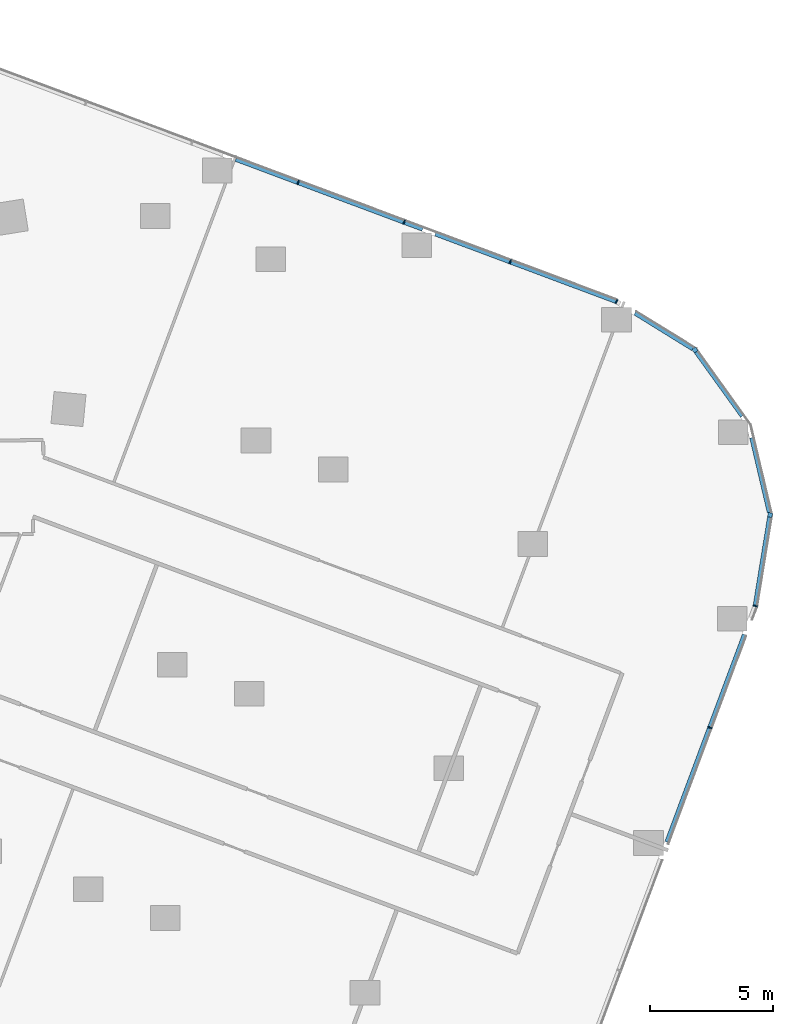
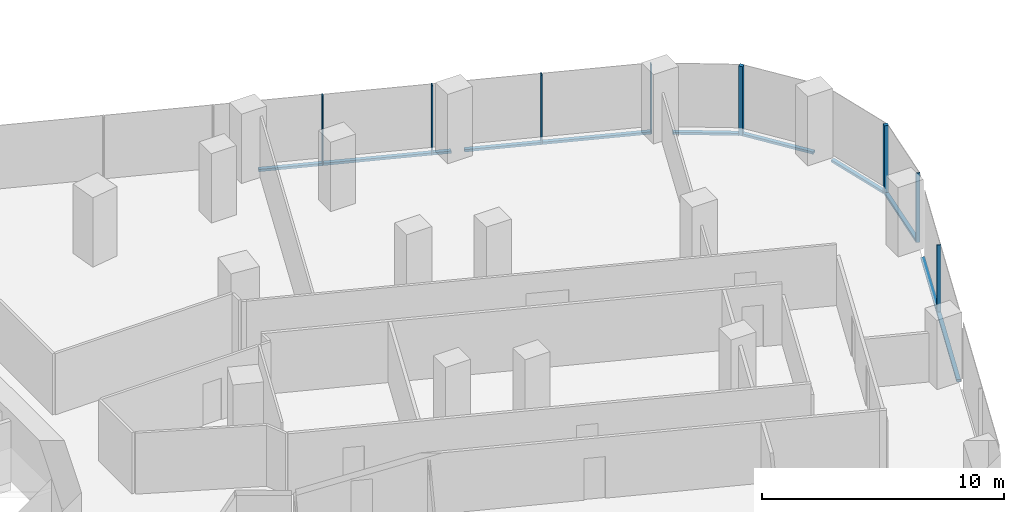
# One storey, part 10 of 31: 15 members, 6 elements without a shape of their own.
"""IFC4 building model written with IfcOpenShell, lengths in metres."""

from ifc_helpers import new_model, si_unit, direction, frame, origin, origin_2d, place, context, subcontext, project, spatial, rectangle, extrude, material, material_profile, profile_set, type_object, element, aggregate, save


model = new_model("IFC4")

# Units and contexts
model_context = context("Model", 3, precision=1e-05, world=origin(), true_north=direction((0.0, 1.0)))
body_context = subcontext(model_context, "Body", "Model", "MODEL_VIEW")
ifc_project = project(units=[si_unit("LENGTHUNIT", "METRE"), si_unit("AREAUNIT", "SQUARE_METRE"), si_unit("VOLUMEUNIT", "CUBIC_METRE"), si_unit("PLANEANGLEUNIT", "RADIAN"), si_unit("MASSUNIT", "GRAM", prefix="KILO")], contexts=[model_context])

# Site, building, storey
site_placement = place(None, origin())
site = spatial("IfcSite", under=ifc_project, at=site_placement, CompositionType="ELEMENT")
building_placement = place(site_placement, origin())
building = spatial("IfcBuilding", under=site, at=building_placement, Name="Orlundy Tower", CompositionType="ELEMENT")
storey_placement = place(building_placement, frame((0.0, 0.0, 91.199951171875)))
storey = spatial("IfcBuildingStorey", under=building, at=storey_placement, Name="L22", CompositionType="ELEMENT", Elevation=91.199951171875)

# Curtain wall, member
ifc_material_1 = material(Name="Aluminium bronze anodised", Category="aluminium")
curtain_wall_type = type_object("IfcCurtainWallType", Name="CW1 wall", PredefinedType="NOTDEFINED", material=ifc_material_1)
curtain_wall_1_placement = place(storey_placement, origin())
curtain_wall_1 = element("IfcCurtainWall", 1, at=curtain_wall_1_placement, inside=storey, type_object=curtain_wall_type, Name="CW1 run 08", PredefinedType="NOTDEFINED")
ifc_material_2 = material(Name="Aluminium bronze anodised", Category="aluminium")
ifc_material_profile_1 = material_profile(ifc_material_2, rectangle(XDim=0.179931640625, YDim=0.179931640625, at=origin_2d()), Name="CW1 corner post 180x180")
ifc_profile_set_1 = profile_set([ifc_material_profile_1], Name="Aluminium bronze anodised")
member_type_1 = type_object("IfcMemberType", Name="CW1 corner post 180x180", PredefinedType="MULLION", material=ifc_profile_set_1)
member_1_placement = place(storey_placement, frame((57.052490234375, -0.659912109375, -0.39990234375), z_axis=(0.0, 0.0, 1.0), x_axis=(0.811723617772, 0.584041752233, 0.0)))
member_1 = element("IfcMember", 2, at=member_1_placement, type_object=member_type_1, Name="CW1 mullion 33", PredefinedType="MULLION", context=body_context, shape_type="SweptSolid", body=[
    extrude(rectangle(XDim=0.179931640625, YDim=0.179931640625, at=origin_2d()), origin(), (0.0, 0.0, 1.0), 3.5),
])

curtain_wall_2_placement = place(storey_placement, origin())
curtain_wall_2 = element("IfcCurtainWall", 3, at=curtain_wall_2_placement, inside=storey, type_object=curtain_wall_type, Name="CW1 run 010", PredefinedType="NOTDEFINED")
member_2_placement = place(storey_placement, frame((60.0966796875, -7.3408203125, -0.39990234375), z_axis=(0.0, 0.0, 1.0), x_axis=(0.986985368462, -0.160810081906, 0.0)))
member_2 = element("IfcMember", 4, at=member_2_placement, type_object=member_type_1, Name="CW1 mullion 35", PredefinedType="MULLION", context=body_context, shape_type="SweptSolid", body=[
    extrude(rectangle(XDim=0.179931640625, YDim=0.179931640625, at=origin_2d()), origin(), (0.0, 0.0, 1.0), 3.5),
])

# Curtain wall, members
curtain_wall_3_placement = place(storey_placement, origin())
curtain_wall_3 = element("IfcCurtainWall", 5, at=curtain_wall_3_placement, inside=storey, type_object=curtain_wall_type, Name="CW1 run 06", PredefinedType="NOTDEFINED")
ifc_material_3 = material(Name="Aluminium bronze anodised", Category="aluminium")
ifc_material_profile_2 = material_profile(ifc_material_3, rectangle(XDim=0.179931640625, YDim=0.050048828125, at=origin_2d()), Name="CW1 mullion 50x180")
ifc_profile_set_2 = profile_set([ifc_material_profile_2], Name="Aluminium bronze anodised")
member_type_2 = type_object("IfcMemberType", Name="CW1 mullion 50x180", PredefinedType="MULLION", material=ifc_profile_set_2)
member_3_placement = place(storey_placement, frame((40.97509765625, 6.12841796875, -0.39990234375), z_axis=(0.0, 0.0, 1.0), x_axis=(0.350203812273, 0.93667352363, 0.0)))
member_3 = element("IfcMember", 6, at=member_3_placement, type_object=member_type_2, Name="CW1 mullion 29", PredefinedType="MULLION", context=body_context, shape_type="SweptSolid", body=[
    extrude(rectangle(XDim=0.179931640625, YDim=0.050048828125, at=origin_2d()), origin(), (0.0, 0.0, 1.0), 3.5),
])
member_4_placement = place(storey_placement, frame((45.273193359375, 4.521240234375, -0.39990234375), z_axis=(0.0, 0.0, 1.0), x_axis=(0.350203812273, 0.93667352363, 0.0)))
member_4 = element("IfcMember", 7, at=member_4_placement, type_object=member_type_2, Name="CW1 mullion 30", PredefinedType="MULLION", context=body_context, shape_type="SweptSolid", body=[
    extrude(rectangle(XDim=0.179931640625, YDim=0.050048828125, at=origin_2d()), origin(), (0.0, 0.0, 1.0), 3.5),
])
member_5_placement = place(storey_placement, frame((49.5712890625, 2.914306640625, -0.39990234375), z_axis=(0.0, 0.0, 1.0), x_axis=(0.350203812273, 0.93667352363, 0.0)))
member_5 = element("IfcMember", 8, at=member_5_placement, type_object=member_type_2, Name="CW1 mullion 31", PredefinedType="MULLION", context=body_context, shape_type="SweptSolid", body=[
    extrude(rectangle(XDim=0.179931640625, YDim=0.050048828125, at=origin_2d()), origin(), (0.0, 0.0, 1.0), 3.5),
])

# Curtain wall, member
curtain_wall_4_placement = place(storey_placement, origin())
curtain_wall_4 = element("IfcCurtainWall", 9, at=curtain_wall_4_placement, inside=storey, type_object=curtain_wall_type, Name="CW1 run 07", PredefinedType="NOTDEFINED")
member_6_placement = place(storey_placement, frame((53.8779296875, 1.30419921875, -0.39990234375), z_axis=(0.0, 0.0, 1.0), x_axis=(0.440276029631, 0.897862471503, 0.0)))
member_6 = element("IfcMember", 10, at=member_6_placement, type_object=member_type_2, Name="CW1 mullion 32", PredefinedType="MULLION", context=body_context, shape_type="SweptSolid", body=[
    extrude(rectangle(XDim=0.179931640625, YDim=0.050048828125, at=origin_2d()), origin(), (0.0, 0.0, 1.0), 3.5),
])

# Curtain wall, members
curtain_wall_5_placement = place(storey_placement, origin())
curtain_wall_5 = element("IfcCurtainWall", 11, at=curtain_wall_5_placement, inside=storey, type_object=curtain_wall_type, Name="CW1 run 011", PredefinedType="NOTDEFINED")
member_7_placement = place(storey_placement, frame((59.496337890625, -11.025146484375, -0.39990234375), z_axis=(0.0, 0.0, 1.0), x_axis=(0.966481186218, -0.256737446988, 0.0)))
member_7 = element("IfcMember", 12, at=member_7_placement, type_object=member_type_2, Name="CW1 mullion 36", PredefinedType="MULLION", context=body_context, shape_type="SweptSolid", body=[
    extrude(rectangle(XDim=0.179931640625, YDim=0.050048828125, at=origin_2d()), origin(), (0.0, 0.0, 1.0), 3.5),
])
member_8_placement = place(storey_placement, frame((57.65478515625, -15.950927734375, -0.39990234375), z_axis=(0.0, 0.0, 1.0), x_axis=(0.936677057252, -0.350194360916, 0.0)))
member_8 = element("IfcMember", 13, at=member_8_placement, type_object=member_type_2, Name="CW1 mullion 37", PredefinedType="MULLION", context=body_context, shape_type="SweptSolid", body=[
    extrude(rectangle(XDim=0.179931640625, YDim=0.050048828125, at=origin_2d()), origin(), (0.0, 0.0, 1.0), 3.5),
])

# Member
ifc_material_4 = material(Name="Aluminium bronze anodised", Category="aluminium")
ifc_material_profile_3 = material_profile(ifc_material_4, rectangle(XDim=0.179931640625, YDim=0.1201171875, at=origin_2d()), Name="CW1 transom 180x120")
ifc_profile_set_3 = profile_set([ifc_material_profile_3], Name="Aluminium bronze anodised")
member_type_3 = type_object("IfcMemberType", Name="CW1 transom 180x120", PredefinedType="USERDEFINED", material=ifc_profile_set_3)
member_9_placement = place(storey_placement, frame((38.4541015625, 7.07080078125, -0.33984375), z_axis=(0.936673902166, -0.35020279982, 0.0), x_axis=(0.35020279982, 0.936673902166, 0.0)))
member_9 = element("IfcMember", 14, at=member_9_placement, type_object=member_type_3, Name="CW1 transom", ObjectType="TRANSOM", PredefinedType="USERDEFINED", context=body_context, shape_type="SweptSolid", body=[
    extrude(rectangle(XDim=0.179931640625, YDim=0.1201171875, at=origin_2d()), origin(), (0.0, 0.0, 1.0), 8.08056640625),
])

member_10_placement = place(storey_placement, frame((46.541015625, 4.04736328125, -0.33984375), z_axis=(0.936669271794, -0.350215184246, 0.0), x_axis=(0.350215184246, 0.936669271794, 0.0)))
member_10 = element("IfcMember", 15, at=member_10_placement, type_object=member_type_3, Name="CW1 transom", ObjectType="TRANSOM", PredefinedType="USERDEFINED", context=body_context, shape_type="SweptSolid", body=[
    extrude(rectangle(XDim=0.179931640625, YDim=0.1201171875, at=origin_2d()), origin(), (0.0, 0.0, 1.0), 7.8076171875),
])

aggregate(curtain_wall_3, [member_3, member_4, member_5, member_9, member_10])

member_11_placement = place(storey_placement, frame((54.6259765625, 0.84130859375, -0.33984375), z_axis=(0.850418029211, -0.526107570363, 0.0), x_axis=(0.526107570363, 0.850418029211, 0.0)))
member_11 = element("IfcMember", 16, at=member_11_placement, type_object=member_type_3, Name="CW1 transom", ObjectType="TRANSOM", PredefinedType="USERDEFINED", context=body_context, shape_type="SweptSolid", body=[
    extrude(rectangle(XDim=0.179931640625, YDim=0.1201171875, at=origin_2d()), origin(), (0.0, 0.0, 1.0), 2.756103515625),
])

aggregate(curtain_wall_4, [member_6, member_11])

member_12_placement = place(storey_placement, frame((57.105224609375, -0.73291015625, -0.33984375), z_axis=(0.584015768049, -0.811742312972, 0.0), x_axis=(0.811742312972, 0.584015768049, 0.0)))
member_12 = element("IfcMember", 17, at=member_12_placement, type_object=member_type_3, Name="CW1 transom", ObjectType="TRANSOM", PredefinedType="USERDEFINED", context=body_context, shape_type="SweptSolid", body=[
    extrude(rectangle(XDim=0.179931640625, YDim=0.1201171875, at=origin_2d()), origin(), (0.0, 0.0, 1.0), 3.20556640625),
])

aggregate(curtain_wall_1, [member_1, member_12])

# Curtain wall, member
curtain_wall_6_placement = place(storey_placement, origin())
curtain_wall_6 = element("IfcCurtainWall", 18, at=curtain_wall_6_placement, inside=storey, type_object=curtain_wall_type, Name="CW1 run 09", PredefinedType="NOTDEFINED")
member_13_placement = place(storey_placement, frame((59.35888671875, -4.20947265625, -0.33984375), z_axis=(0.229383925771, -0.973336023477, 0.0), x_axis=(0.973336023477, 0.229383925771, 0.0)))
member_13 = element("IfcMember", 19, at=member_13_placement, type_object=member_type_3, Name="CW1 transom", ObjectType="TRANSOM", PredefinedType="USERDEFINED", context=body_context, shape_type="SweptSolid", body=[
    extrude(rectangle(XDim=0.179931640625, YDim=0.1201171875, at=origin_2d()), origin(), (0.0, 0.0, 1.0), 3.11962890625),
])
aggregate(curtain_wall_6, [member_13])

# Member
member_14_placement = place(storey_placement, frame((60.082275390625, -7.4296875, -0.33984375), z_axis=(-0.160808608313, -0.986985608554, 0.0), x_axis=(0.986985608554, -0.160808608313, 0.0)))
member_14 = element("IfcMember", 20, at=member_14_placement, type_object=member_type_3, Name="CW1 transom", ObjectType="TRANSOM", PredefinedType="USERDEFINED", context=body_context, shape_type="SweptSolid", body=[
    extrude(rectangle(XDim=0.179931640625, YDim=0.1201171875, at=origin_2d()), origin(), (0.0, 0.0, 1.0), 3.617919921875),
])

aggregate(curtain_wall_2, [member_2, member_14])

member_15_placement = place(storey_placement, frame((59.060546875, -12.19091796875, -0.33984375), z_axis=(-0.350201406125, -0.936674423238, 0.0), x_axis=(0.936674423238, -0.350201406125, 0.0)))
member_15 = element("IfcMember", 21, at=member_15_placement, type_object=member_type_3, Name="CW1 transom", ObjectType="TRANSOM", PredefinedType="USERDEFINED", context=body_context, shape_type="SweptSolid", body=[
    extrude(rectangle(XDim=0.179931640625, YDim=0.1201171875, at=origin_2d()), origin(), (0.0, 0.0, 1.0), 8.968017578125),
])

aggregate(curtain_wall_5, [member_7, member_8, member_15])

save(model, "model.ifc")
